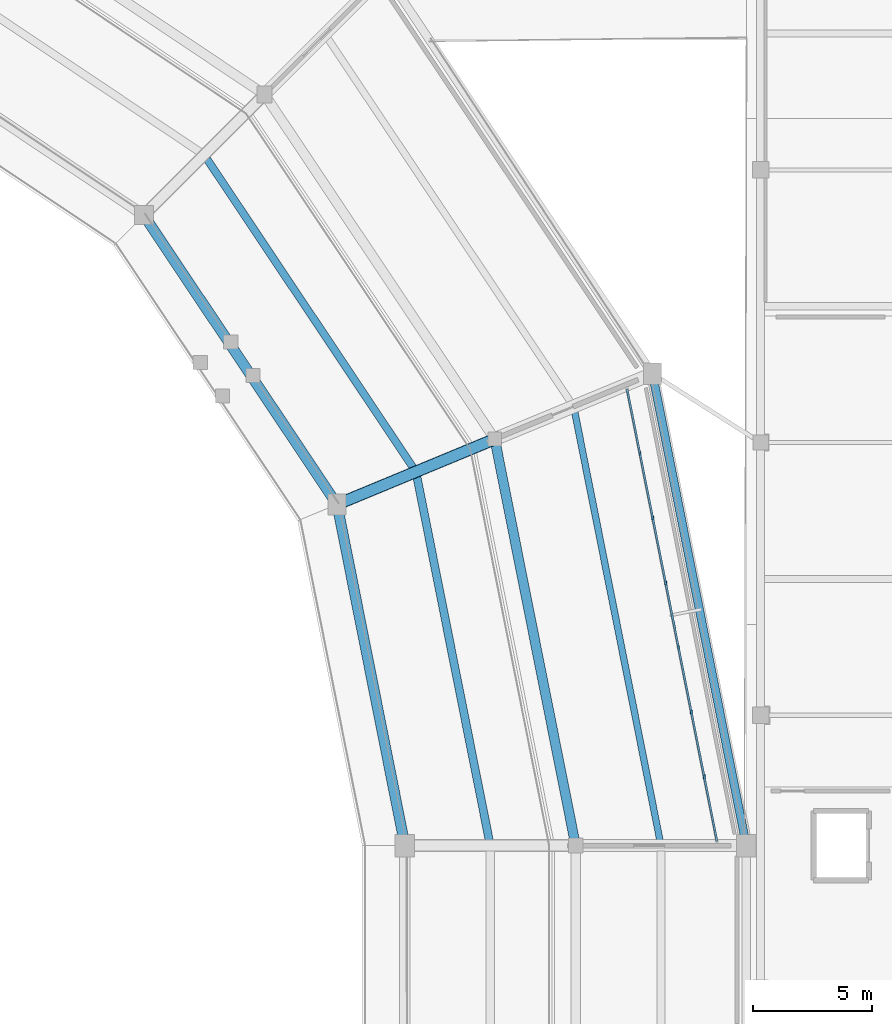
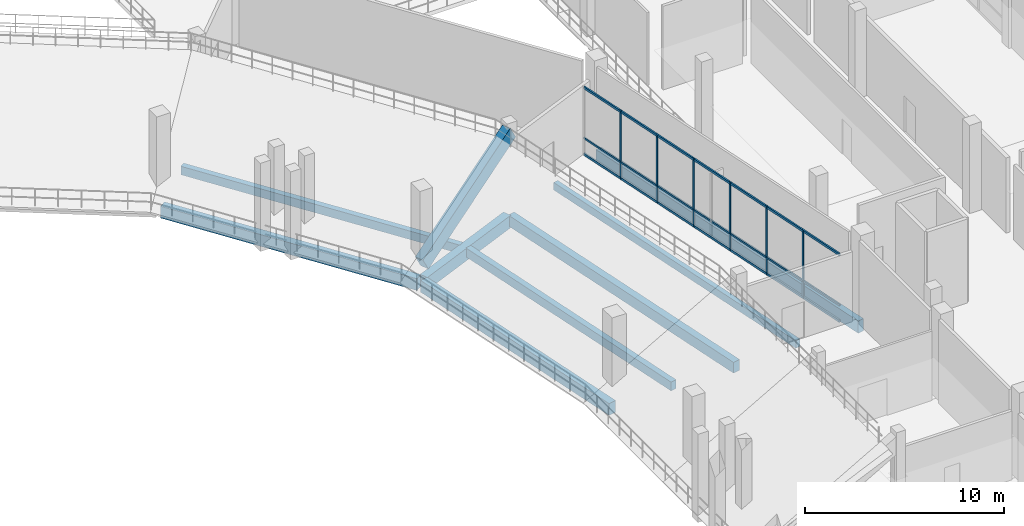
# One storey, part 42 of 127: 9 beams, 9 members, 1 element without a shape of its own.
"""IFC4 building model written with IfcOpenShell, lengths in metres."""

from ifc_helpers import new_model, si_unit, direction, frame, origin, origin_2d, place, context, subcontext, project, spatial, rectangle, extrude, material, material_profile, profile_set, type_object, element, aggregate, save


model = new_model("IFC4")

# Units and contexts
model_context = context("Model", 3, precision=1e-05, world=origin(), true_north=direction((0.0, 1.0)))
body_context = subcontext(model_context, "Body", "Model", "MODEL_VIEW")
ifc_project = project(units=[si_unit("LENGTHUNIT", "METRE"), si_unit("AREAUNIT", "SQUARE_METRE"), si_unit("VOLUMEUNIT", "CUBIC_METRE"), si_unit("PLANEANGLEUNIT", "RADIAN"), si_unit("MASSUNIT", "GRAM", prefix="KILO")], contexts=[model_context])

# Site, building, storey
site_placement = place(None, origin())
site = spatial("IfcSite", under=ifc_project, at=site_placement, CompositionType="ELEMENT")
building_placement = place(site_placement, origin())
building = spatial("IfcBuilding", under=site, at=building_placement, Name="Candeia Ridge Stadium", CompositionType="ELEMENT")
storey_placement = place(building_placement, frame((0.0, 0.0, 10.800048828125)))
storey = spatial("IfcBuildingStorey", under=building, at=storey_placement, Name="L02", CompositionType="ELEMENT", Elevation=10.800048828125)

# Beam
ifc_material_1 = material(Name="Concrete C45/55", Category="concrete")
ifc_material_profile_1 = material_profile(ifc_material_1, rectangle(XDim=0.5, YDim=0.89990234375, at=origin_2d()), Name="RC500x900", Category="concrete")
ifc_profile_set_1 = profile_set([ifc_material_profile_1], Name="Concrete C45/55")
beam_type_1 = type_object("IfcBeamType", Name="Club Stand Raker Beam RC500x900", PredefinedType="USERDEFINED", material=ifc_profile_set_1)
beam_1_placement = place(storey_placement, frame((175.73779296875, 109.388916015625, 0.624267578125), z_axis=(0.80308399346, 0.332646014247, 0.494371043502), x_axis=(-0.382681205745, 0.923880454805, 0.0)))
element("IfcBeam", 1, at=beam_1_placement, inside=storey, type_object=beam_type_1, Name="Stand T2 inclined concrete raker beam 34", ObjectType="RAKER", PredefinedType="USERDEFINED", context=body_context, shape_type="SweptSolid", body=[
    extrude(rectangle(XDim=0.5, YDim=0.89990234375, at=origin_2d()), origin(), (0.0, 0.0, 1.0), 8.283203125),
])

# Curtain wall, members
ifc_material_2 = material(Name="Aluminium Anodized Warm Bronze", Category="aluminium")
curtain_wall_type = type_object("IfcCurtainWallType", Name="Concourse Recessed Unitised Curtain Wall", PredefinedType="NOTDEFINED", material=ifc_material_2)
curtain_wall_placement = place(storey_placement, origin())
curtain_wall = element("IfcCurtainWall", 2, at=curtain_wall_placement, inside=storey, type_object=curtain_wall_type, Name="Unitised curtain wall CW-BWL-L02-32", PredefinedType="NOTDEFINED")
ifc_material_profile_2 = material_profile(ifc_material_2, rectangle(XDim=0.074951171875, YDim=0.14990234375, at=origin_2d()), Name="CWM-75x150", Category="aluminium")
ifc_profile_set_2 = profile_set([ifc_material_profile_2], Name="Aluminium Anodized Warm Bronze")
member_type_1 = type_object("IfcMemberType", Name="Curtain Wall Secondary Mullion 75x150", PredefinedType="MULLION", material=ifc_profile_set_2)
member_1_placement = place(storey_placement, frame((191.222412109375, 97.9033203125, 0.0), z_axis=(0.0, 0.0, 1.0), x_axis=(1.0, 0.0, 0.0)))
member_1 = element("IfcMember", 3, at=member_1_placement, type_object=member_type_1, Name="Curtain wall mullion CW-BWL-L02-32-M1", PredefinedType="MULLION", context=body_context, shape_type="SweptSolid", body=[
    extrude(rectangle(XDim=0.074951171875, YDim=0.14990234375, at=origin_2d()), origin(), (0.0, 0.0, 1.0), 4.21484375),
])
member_2_placement = place(storey_placement, frame((190.68017578125, 100.6298828125, 0.0), z_axis=(0.0, 0.0, 1.0), x_axis=(1.0, 0.0, 0.0)))
member_2 = element("IfcMember", 4, at=member_2_placement, type_object=member_type_1, Name="Curtain wall mullion CW-BWL-L02-32-M2", PredefinedType="MULLION", context=body_context, shape_type="SweptSolid", body=[
    extrude(rectangle(XDim=0.074951171875, YDim=0.14990234375, at=origin_2d()), origin(), (0.0, 0.0, 1.0), 4.21484375),
])
member_3_placement = place(storey_placement, frame((190.1376953125, 103.356689453125, 0.0), z_axis=(0.0, 0.0, 1.0), x_axis=(1.0, 0.0, 0.0)))
member_3 = element("IfcMember", 5, at=member_3_placement, type_object=member_type_1, Name="Curtain wall mullion CW-BWL-L02-32-M3", PredefinedType="MULLION", context=body_context, shape_type="SweptSolid", body=[
    extrude(rectangle(XDim=0.074951171875, YDim=0.14990234375, at=origin_2d()), origin(), (0.0, 0.0, 1.0), 4.21484375),
])
member_4_placement = place(storey_placement, frame((189.595458984375, 106.08349609375, 0.0), z_axis=(0.0, 0.0, 1.0), x_axis=(1.0, 0.0, 0.0)))
member_4 = element("IfcMember", 6, at=member_4_placement, type_object=member_type_1, Name="Curtain wall mullion CW-BWL-L02-32-M4", PredefinedType="MULLION", context=body_context, shape_type="SweptSolid", body=[
    extrude(rectangle(XDim=0.074951171875, YDim=0.14990234375, at=origin_2d()), origin(), (0.0, 0.0, 1.0), 4.21484375),
])
member_5_placement = place(storey_placement, frame((189.052978515625, 108.810302734375, 0.0), z_axis=(0.0, 0.0, 1.0), x_axis=(1.0, 0.0, 0.0)))
member_5 = element("IfcMember", 7, at=member_5_placement, type_object=member_type_1, Name="Curtain wall mullion CW-BWL-L02-32-M5", PredefinedType="MULLION", context=body_context, shape_type="SweptSolid", body=[
    extrude(rectangle(XDim=0.074951171875, YDim=0.14990234375, at=origin_2d()), origin(), (0.0, 0.0, 1.0), 4.21484375),
])
member_6_placement = place(storey_placement, frame((188.510498046875, 111.537109375, 0.0), z_axis=(0.0, 0.0, 1.0), x_axis=(1.0, 0.0, 0.0)))
member_6 = element("IfcMember", 8, at=member_6_placement, type_object=member_type_1, Name="Curtain wall mullion CW-BWL-L02-32-M6", PredefinedType="MULLION", context=body_context, shape_type="SweptSolid", body=[
    extrude(rectangle(XDim=0.074951171875, YDim=0.14990234375, at=origin_2d()), origin(), (0.0, 0.0, 1.0), 4.21484375),
])
ifc_material_profile_3 = material_profile(ifc_material_2, rectangle(XDim=0.074951171875, YDim=0.110107421875, at=origin_2d()), Name="CWT-75x110", Category="aluminium")
ifc_profile_set_3 = profile_set([ifc_material_profile_3], Name="Aluminium Anodized Warm Bronze")
member_type_2 = type_object("IfcMemberType", Name="Curtain Wall Secondary Transom 75x110", PredefinedType="USERDEFINED", material=ifc_profile_set_3)
member_7_placement = place(storey_placement, frame((191.764892578125, 95.176513671875, 1.0537109375), z_axis=(-0.195085896803, 0.980786160623, 0.0), x_axis=(-0.980786160623, -0.195085896803, 0.0)))
member_7 = element("IfcMember", 9, at=member_7_placement, type_object=member_type_2, Name="Curtain wall transom CW-BWL-L02-32-T1", ObjectType="TRANSOM", PredefinedType="USERDEFINED", context=body_context, shape_type="SweptSolid", body=[
    extrude(rectangle(XDim=0.074951171875, YDim=0.110107421875, at=origin_2d()), origin(), (0.0, 0.0, 1.0), 19.46142578125),
])
ifc_material_profile_4 = material_profile(ifc_material_2, rectangle(XDim=0.090087890625, YDim=0.139892578125, at=origin_2d()), Name="CWT-90x140", Category="aluminium")
ifc_profile_set_4 = profile_set([ifc_material_profile_4], Name="Aluminium Anodized Warm Bronze")
member_type_3 = type_object("IfcMemberType", Name="Curtain Wall Transom 90x140", PredefinedType="USERDEFINED", material=ifc_profile_set_4)
member_8_placement = place(storey_placement, frame((191.764892578125, 95.176513671875, 0.070068359375), z_axis=(-0.195085896803, 0.980786160623, 0.0), x_axis=(-0.980786160623, -0.195085896803, 0.0)))
member_8 = element("IfcMember", 10, at=member_8_placement, type_object=member_type_3, Name="Curtain wall transom CW-BWL-L02-32-T0", ObjectType="TRANSOM", PredefinedType="USERDEFINED", context=body_context, shape_type="SweptSolid", body=[
    extrude(rectangle(XDim=0.090087890625, YDim=0.139892578125, at=origin_2d()), origin(), (0.0, 0.0, 1.0), 19.46142578125),
])
member_9_placement = place(storey_placement, frame((191.764892578125, 95.176513671875, 4.14501953125), z_axis=(-0.195085896803, 0.980786160623, 0.0), x_axis=(-0.980786160623, -0.195085896803, 0.0)))
member_9 = element("IfcMember", 11, at=member_9_placement, type_object=member_type_3, Name="Curtain wall transom CW-BWL-L02-32-T2", ObjectType="TRANSOM", PredefinedType="USERDEFINED", context=body_context, shape_type="SweptSolid", body=[
    extrude(rectangle(XDim=0.090087890625, YDim=0.139892578125, at=origin_2d()), origin(), (0.0, 0.0, 1.0), 19.46142578125),
])
aggregate(curtain_wall, [member_1, member_2, member_3, member_4, member_5, member_6, member_8, member_7, member_9])

# Beams
ifc_material_3 = material(Name="Concrete C40/50", Category="concrete")
ifc_material_profile_5 = material_profile(ifc_material_3, rectangle(XDim=0.280029296875, YDim=0.4599609375, at=origin_2d()), Name="RC280x460", Category="concrete")
ifc_profile_set_5 = profile_set([ifc_material_profile_5], Name="Concrete C40/50")
beam_type_2 = type_object("IfcBeamType", Name="Floor Joist RC280x460", PredefinedType="JOIST", material=ifc_profile_set_5)
beam_2_placement = place(storey_placement, frame((189.356689453125, 95.2177734375, -0.489990234375), z_axis=(-0.195092537954, 0.980784839623, 0.0), x_axis=(-0.980784839623, -0.195092537954, 0.0)))
element("IfcBeam", 12, at=beam_2_placement, inside=storey, type_object=beam_type_2, Name="Concourse secondary joist BM-L02-0466", PredefinedType="JOIST", context=body_context, shape_type="SweptSolid", body=[
    extrude(rectangle(XDim=0.280029296875, YDim=0.4599609375, at=origin_2d()), origin(), (0.0, 0.0, 1.0), 18.440673828125),
])
ifc_material_profile_6 = material_profile(ifc_material_3, rectangle(XDim=0.320068359375, YDim=0.52001953125, at=origin_2d()), Name="RC320x520", Category="concrete")
ifc_profile_set_6 = profile_set([ifc_material_profile_6], Name="Concrete C40/50")
beam_type_3 = type_object("IfcBeamType", Name="Floor Joist RC320x520", PredefinedType="JOIST", material=ifc_profile_set_6)
beam_3_placement = place(storey_placement, frame((178.9404296875, 110.951171875, -0.52001953125), z_axis=(-0.555568527312, 0.831470752017, 0.0), x_axis=(-0.831470752017, -0.555568527312, 0.0)))
element("IfcBeam", 13, at=beam_3_placement, inside=storey, type_object=beam_type_3, Name="Concourse secondary joist BM-L02-0470", PredefinedType="JOIST", context=body_context, shape_type="SweptSolid", body=[
    extrude(rectangle(XDim=0.320068359375, YDim=0.52001953125, at=origin_2d()), origin(), (0.0, 0.0, 1.0), 15.63134765625),
])
ifc_material_profile_7 = material_profile(ifc_material_3, rectangle(XDim=0.340087890625, YDim=0.5400390625, at=origin_2d()), Name="RC340x540", Category="concrete")
ifc_profile_set_7 = profile_set([ifc_material_profile_7], Name="Concrete C40/50")
beam_type_4 = type_object("IfcBeamType", Name="Floor Joist RC340x540", PredefinedType="JOIST", material=ifc_profile_set_7)
beam_4_placement = place(storey_placement, frame((182.15673828125, 95.2177734375, -0.530029296875), z_axis=(-0.195091809076, 0.980784984607, 0.0), x_axis=(-0.980784984607, -0.195091809076, 0.0)))
element("IfcBeam", 14, at=beam_4_placement, inside=storey, type_object=beam_type_4, Name="Concourse secondary joist BM-L02-0465", PredefinedType="JOIST", context=body_context, shape_type="SweptSolid", body=[
    extrude(rectangle(XDim=0.340087890625, YDim=0.5400390625, at=origin_2d()), origin(), (0.0, 0.0, 1.0), 15.63134765625),
])
ifc_material_profile_8 = material_profile(ifc_material_3, rectangle(XDim=0.409912109375, YDim=0.659912109375, at=origin_2d()), Name="RC410x660", Category="concrete")
ifc_profile_set_8 = profile_set([ifc_material_profile_8], Name="Concrete C40/50")
beam_type_5 = type_object("IfcBeamType", Name="Frame Girder RC410x660", PredefinedType="BEAM", material=ifc_profile_set_8)
beam_5_placement = place(storey_placement, frame((185.768798828125, 95.156982421875, -0.590087890625), z_axis=(-0.195098234154, 0.980783706548, 0.0), x_axis=(-0.980783706548, -0.195098234154, 0.0)))
element("IfcBeam", 15, at=beam_5_placement, inside=storey, type_object=beam_type_5, Name="Concourse spine girder BM-L02-0463", PredefinedType="BEAM", context=body_context, shape_type="SweptSolid", body=[
    extrude(rectangle(XDim=0.409912109375, YDim=0.659912109375, at=origin_2d()), origin(), (0.0, 0.0, 1.0), 17.16015625),
])
ifc_material_profile_9 = material_profile(ifc_material_3, rectangle(XDim=0.43994140625, YDim=0.719970703125, at=origin_2d()), Name="RC440x720", Category="concrete")
ifc_profile_set_9 = profile_set([ifc_material_profile_9], Name="Concrete C40/50")
beam_type_6 = type_object("IfcBeamType", Name="Frame Girder RC440x720", PredefinedType="BEAM", material=ifc_profile_set_9)
for number, where, z_axis, x_axis, name in (
    (16, (178.56884765625, 95.156982421875, -0.6201171875), (-0.195098555341, 0.980783642657, 0.0), (-0.980783642657, -0.195098555341, 0.0), "Bowl inner ring girder BM-L02-0462"),
    (17, (175.64892578125, 109.52197265625, -0.6201171875), (-0.55557537569, 0.831466176057, 0.0), (-0.831466176057, -0.55557537569, 0.0), "Bowl inner ring girder BM-L02-0467"),
):
    element("IfcBeam", number, at=place(storey_placement, frame(where, z_axis=z_axis, x_axis=x_axis)), inside=storey, type_object=beam_type_6, Name=name, PredefinedType="BEAM", context=body_context, shape_type="SweptSolid", body=[
        extrude(rectangle(XDim=0.43994140625, YDim=0.719970703125, at=origin_2d()), origin(), (0.0, 0.0, 1.0), 14.350830078125),
    ])
ifc_material_profile_10 = material_profile(ifc_material_3, rectangle(XDim=0.469970703125, YDim=0.760009765625, at=origin_2d()), Name="RC470x760", Category="concrete")
ifc_profile_set_10 = profile_set([ifc_material_profile_10], Name="Concrete C40/50")
beam_type_7 = type_object("IfcBeamType", Name="Frame Girder RC470x760", PredefinedType="BEAM", material=ifc_profile_set_10)
beam_6_placement = place(storey_placement, frame((175.8857421875, 109.4501953125, -0.64013671875), z_axis=(0.923880161031, 0.382681914982, 0.0), x_axis=(-0.382681914982, 0.923880161031, 0.0)))
element("IfcBeam", 18, at=beam_6_placement, inside=storey, type_object=beam_type_7, Name="Bowl radial girder BM-L02-0307", PredefinedType="BEAM", context=body_context, shape_type="SweptSolid", body=[
    extrude(rectangle(XDim=0.469970703125, YDim=0.760009765625, at=origin_2d()), origin(), (0.0, 0.0, 1.0), 6.8798828125),
])
ifc_material_profile_11 = material_profile(ifc_material_1, rectangle(XDim=0.35009765625, YDim=0.75, at=origin_2d()), Name="RC350x750", Category="concrete")
ifc_profile_set_11 = profile_set([ifc_material_profile_11], Name="Concrete C45/55")
beam_type_8 = type_object("IfcBeamType", Name="Spandrel Beam RC350x750", PredefinedType="SPANDREL", material=ifc_profile_set_11)
beam_7_placement = place(storey_placement, frame((192.96875, 95.156982421875, -0.635009765625), z_axis=(-0.195086242929, 0.980786091775, 0.0), x_axis=(-0.980786091775, -0.195086242929, 0.0)))
element("IfcBeam", 19, at=beam_7_placement, inside=storey, type_object=beam_type_8, Name="Bowl perimeter spandrel BM-L02-0464", PredefinedType="SPANDREL", context=body_context, shape_type="SweptSolid", body=[
    extrude(rectangle(XDim=0.35009765625, YDim=0.75, at=origin_2d()), origin(), (0.0, 0.0, 1.0), 19.969482421875),
])

save(model, "model.ifc")
